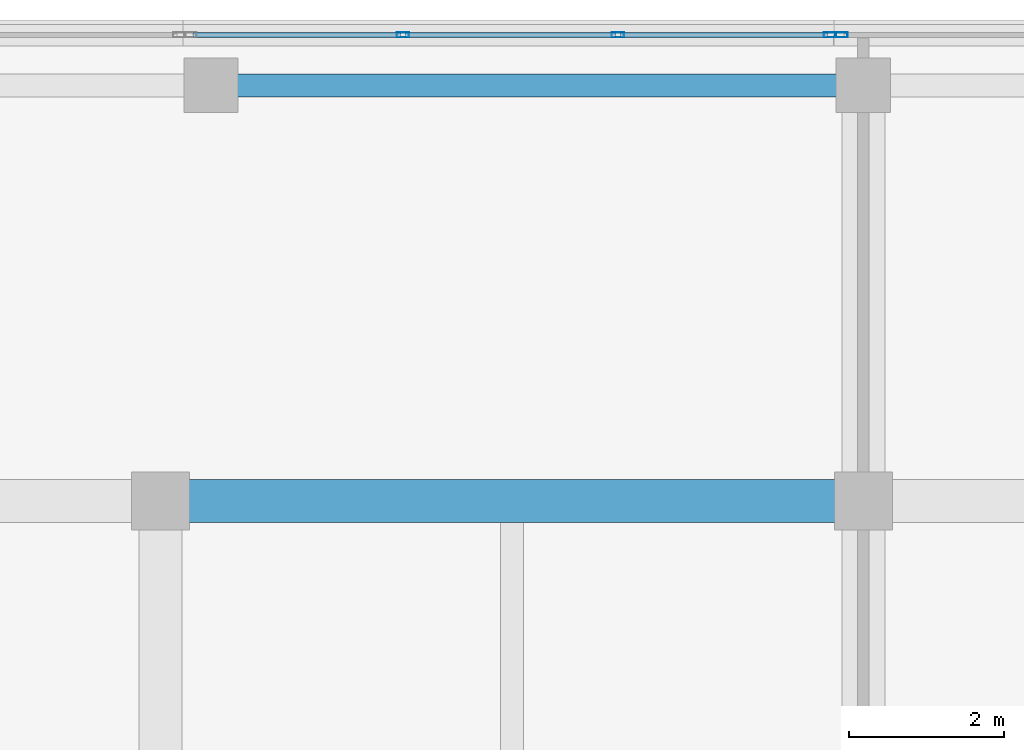
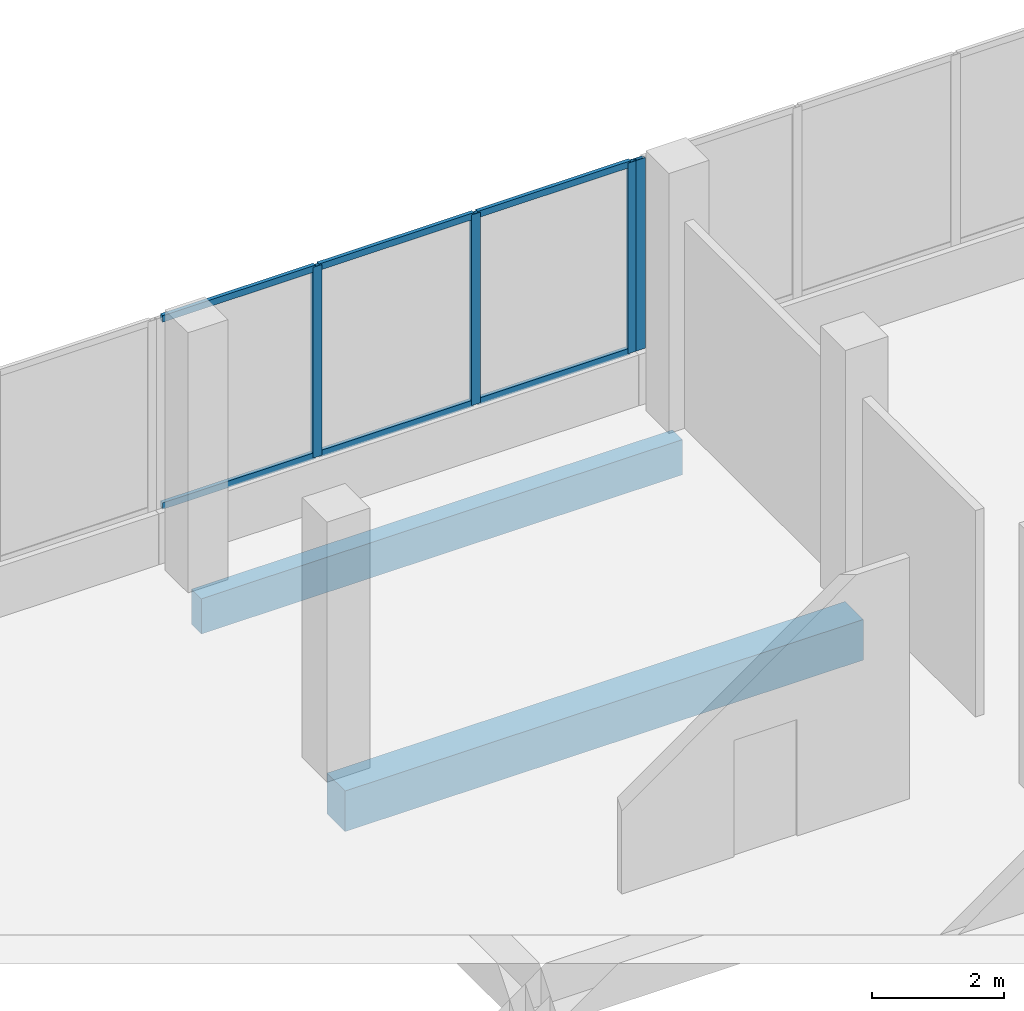
# One storey, part 112 of 155: 10 members, 2 beams, 2 elements without a shape of their own.
"""IFC4 building model written with IfcOpenShell, lengths in metres."""

from ifc_helpers import new_model, si_unit, direction, frame, origin, origin_2d, place, context, subcontext, project, spatial, rectangle, hollow_rectangle, extrude, material, material_profile, profile_set, type_object, element, aggregate, save


model = new_model("IFC4")

# Units and contexts
model_context = context("Model", 3, precision=1e-05, world=origin(), true_north=direction((0.0, 1.0)))
body_context = subcontext(model_context, "Body", "Model", "MODEL_VIEW")
ifc_project = project(units=[si_unit("LENGTHUNIT", "METRE"), si_unit("AREAUNIT", "SQUARE_METRE"), si_unit("VOLUMEUNIT", "CUBIC_METRE"), si_unit("PLANEANGLEUNIT", "RADIAN"), si_unit("MASSUNIT", "GRAM", prefix="KILO")], contexts=[model_context])

# Site, building, storey
site_placement = place(None, origin())
site = spatial("IfcSite", under=ifc_project, at=site_placement, CompositionType="ELEMENT")
building_placement = place(site_placement, origin())
building = spatial("IfcBuilding", under=site, at=building_placement, Name="Selatvlak General Hospital", CompositionType="ELEMENT")
storey_placement = place(building_placement, frame((0.0, 0.0, 10.199951171875)))
storey = spatial("IfcBuildingStorey", under=building, at=storey_placement, Name="L02", CompositionType="ELEMENT", Elevation=10.199951171875)

# Beams
ifc_material_1 = material(Name="Concrete C40/50", Category="concrete")
ifc_material_profile_1 = material_profile(ifc_material_1, rectangle(XDim=0.550048828125, YDim=0.75, at=origin_2d()), Name="RC-BM 550x750")
ifc_profile_set_1 = profile_set([ifc_material_profile_1], Name="Concrete C40/50")
beam_type_1 = type_object("IfcBeamType", Name="BM-G02", PredefinedType="BEAM", material=ifc_profile_set_1)
beam_1_placement = place(storey_placement, frame((164.949951171875, 114.0, -0.72998046875), z_axis=(1.0, 0.0, 0.0), x_axis=(0.0, 1.0, 0.0)))
element("IfcBeam", 1, at=beam_1_placement, inside=storey, type_object=beam_type_1, Name="Beam BMR-L02-0906", PredefinedType="BEAM", context=body_context, shape_type="SweptSolid", body=[
    extrude(rectangle(XDim=0.550048828125, YDim=0.75, at=origin_2d()), origin(), (0.0, 0.0, 1.0), 9.050048828125),
])
ifc_material_profile_2 = material_profile(ifc_material_1, rectangle(XDim=0.300048828125, YDim=0.64990234375, at=origin_2d()), Name="RC-SP 300x650")
ifc_profile_set_2 = profile_set([ifc_material_profile_2], Name="Concrete C40/50")
beam_type_2 = type_object("IfcBeamType", Name="BM-SP1", PredefinedType="SPANDREL", material=ifc_profile_set_2)
beam_2_placement = place(storey_placement, frame((165.60009765625, 119.35009765625, -0.679931640625), z_axis=(1.0, 0.0, 0.0), x_axis=(0.0, 1.0, 0.0)))
element("IfcBeam", 2, at=beam_2_placement, inside=storey, type_object=beam_type_2, Name="Beam BMR-L02-0922", PredefinedType="SPANDREL", context=body_context, shape_type="SweptSolid", body=[
    extrude(rectangle(XDim=0.300048828125, YDim=0.64990234375, at=origin_2d()), origin(), (0.0, 0.0, 1.0), 8.39990234375),
])

# Curtain wall, members
ifc_material_2 = material(Name="Solar-control Low-E double glazing", Category="glass")
curtain_wall_type_1 = type_object("IfcCurtainWallType", Name="CW-CW-02", PredefinedType="USERDEFINED", material=ifc_material_2)
curtain_wall_1_placement = place(storey_placement, origin())
curtain_wall_1 = element("IfcCurtainWall", 3, at=curtain_wall_1_placement, inside=storey, type_object=curtain_wall_type_1, Name="Glazed facade curtain wall CW-L02-0261", ObjectType="UNITISED CURTAIN WALL", PredefinedType="USERDEFINED")
ifc_material_3 = material(Name="Dark anodised aluminium mullion", Category="aluminium")
ifc_material_profile_3 = material_profile(ifc_material_3, hollow_rectangle(XDim=0.06494140625, YDim=0.159912109375, WallThickness=0.00390625, at=origin_2d()), Name="AL-MUL 65x160x4")
ifc_profile_set_3 = profile_set([ifc_material_profile_3], Name="Dark anodised aluminium mullion")
member_type_1 = type_object("IfcMemberType", Name="CWM-01", PredefinedType="MULLION", material=ifc_profile_set_3)
member_1_placement = place(storey_placement, frame((168.070556640625, 120.0, 0.93994140625), z_axis=(0.0, 0.0, 1.0), x_axis=(0.0, 1.0, 0.0)))
member_1 = element("IfcMember", 4, at=member_1_placement, type_object=member_type_1, Name="CW-02 mullion 2", PredefinedType="MULLION", context=body_context, shape_type="SweptSolid", body=[
    extrude(hollow_rectangle(XDim=0.06494140625, YDim=0.159912109375, WallThickness=0.00390625, at=origin_2d()), origin(), (0.0, 0.0, 1.0), 3.52001953125),
])
member_2_placement = place(storey_placement, frame((170.83740234375, 120.0, 0.93994140625), z_axis=(0.0, 0.0, 1.0), x_axis=(0.0, 1.0, 0.0)))
member_2 = element("IfcMember", 5, at=member_2_placement, type_object=member_type_1, Name="CW-02 mullion 3", PredefinedType="MULLION", context=body_context, shape_type="SweptSolid", body=[
    extrude(hollow_rectangle(XDim=0.06494140625, YDim=0.159912109375, WallThickness=0.00390625, at=origin_2d()), origin(), (0.0, 0.0, 1.0), 3.52001953125),
])
member_3_placement = place(storey_placement, frame((173.571533203125, 120.0, 0.93994140625), z_axis=(0.0, 0.0, 1.0), x_axis=(0.0, 1.0, 0.0)))
member_3 = element("IfcMember", 6, at=member_3_placement, type_object=member_type_1, Name="CW-02 mullion 4", PredefinedType="MULLION", context=body_context, shape_type="SweptSolid", body=[
    extrude(hollow_rectangle(XDim=0.06494140625, YDim=0.159912109375, WallThickness=0.00390625, at=origin_2d()), origin(), (0.0, 0.0, 1.0), 3.52001953125),
])

# Curtain wall, member
curtain_wall_type_2 = type_object("IfcCurtainWallType", Name="CW-CW-01", PredefinedType="USERDEFINED", material=ifc_material_2)
curtain_wall_2_placement = place(storey_placement, origin())
curtain_wall_2 = element("IfcCurtainWall", 7, at=curtain_wall_2_placement, inside=storey, type_object=curtain_wall_type_2, Name="Glazed facade curtain wall CW-L02-0262", ObjectType="UNITISED CURTAIN WALL", PredefinedType="USERDEFINED")
member_4_placement = place(storey_placement, frame((173.716552734375, 120.0, 0.93994140625), z_axis=(0.0, 0.0, 1.0), x_axis=(0.0, 1.0, 0.0)))
member_4 = element("IfcMember", 8, at=member_4_placement, type_object=member_type_1, Name="CW-01 mullion 1", PredefinedType="MULLION", context=body_context, shape_type="SweptSolid", body=[
    extrude(hollow_rectangle(XDim=0.06494140625, YDim=0.159912109375, WallThickness=0.00390625, at=origin_2d()), origin(), (0.0, 0.0, 1.0), 3.52001953125),
])
aggregate(curtain_wall_2, [member_4])

# Member
ifc_material_profile_4 = material_profile(ifc_material_3, hollow_rectangle(XDim=0.06494140625, YDim=0.1201171875, WallThickness=0.00390625, at=origin_2d()), Name="AL-TRN 65x120x4")
ifc_profile_set_4 = profile_set([ifc_material_profile_4], Name="Dark anodised aluminium mullion")
member_type_2 = type_object("IfcMemberType", Name="CWT-01", PredefinedType="USERDEFINED", material=ifc_profile_set_4)
member_5_placement = place(storey_placement, frame((165.368896484375, 120.0, 0.97265625), z_axis=(1.0, 0.0, 0.0), x_axis=(0.0, 1.0, 0.0)))
member_5 = element("IfcMember", 9, at=member_5_placement, type_object=member_type_2, Name="CW-02 transom 1.1", ObjectType="TRANSOM", PredefinedType="USERDEFINED", context=body_context, shape_type="SweptSolid", body=[
    extrude(hollow_rectangle(XDim=0.06494140625, YDim=0.1201171875, WallThickness=0.00390625, at=origin_2d()), origin(), (0.0, 0.0, 1.0), 2.669189453125),
])

member_6_placement = place(storey_placement, frame((165.368896484375, 120.0, 4.427490234375), z_axis=(1.0, 0.0, 0.0), x_axis=(0.0, 1.0, 0.0)))
member_6 = element("IfcMember", 10, at=member_6_placement, type_object=member_type_2, Name="CW-02 transom 1.2", ObjectType="TRANSOM", PredefinedType="USERDEFINED", context=body_context, shape_type="SweptSolid", body=[
    extrude(hollow_rectangle(XDim=0.06494140625, YDim=0.1201171875, WallThickness=0.00390625, at=origin_2d()), origin(), (0.0, 0.0, 1.0), 2.669189453125),
])

member_7_placement = place(storey_placement, frame((168.103271484375, 120.0, 0.97265625), z_axis=(1.0, 0.0, 0.0), x_axis=(0.0, 1.0, 0.0)))
member_7 = element("IfcMember", 11, at=member_7_placement, type_object=member_type_2, Name="CW-02 transom 2.1", ObjectType="TRANSOM", PredefinedType="USERDEFINED", context=body_context, shape_type="SweptSolid", body=[
    extrude(hollow_rectangle(XDim=0.06494140625, YDim=0.1201171875, WallThickness=0.00390625, at=origin_2d()), origin(), (0.0, 0.0, 1.0), 2.70166015625),
])

member_8_placement = place(storey_placement, frame((168.103271484375, 120.0, 4.427490234375), z_axis=(1.0, 0.0, 0.0), x_axis=(0.0, 1.0, 0.0)))
member_8 = element("IfcMember", 12, at=member_8_placement, type_object=member_type_2, Name="CW-02 transom 2.2", ObjectType="TRANSOM", PredefinedType="USERDEFINED", context=body_context, shape_type="SweptSolid", body=[
    extrude(hollow_rectangle(XDim=0.06494140625, YDim=0.1201171875, WallThickness=0.00390625, at=origin_2d()), origin(), (0.0, 0.0, 1.0), 2.70166015625),
])

member_9_placement = place(storey_placement, frame((170.869873046875, 120.0, 0.97265625), z_axis=(1.0, 0.0, 0.0), x_axis=(0.0, 1.0, 0.0)))
member_9 = element("IfcMember", 13, at=member_9_placement, type_object=member_type_2, Name="CW-02 transom 3.1", ObjectType="TRANSOM", PredefinedType="USERDEFINED", context=body_context, shape_type="SweptSolid", body=[
    extrude(hollow_rectangle(XDim=0.06494140625, YDim=0.1201171875, WallThickness=0.00390625, at=origin_2d()), origin(), (0.0, 0.0, 1.0), 2.669189453125),
])

member_10_placement = place(storey_placement, frame((170.869873046875, 120.0, 4.427490234375), z_axis=(1.0, 0.0, 0.0), x_axis=(0.0, 1.0, 0.0)))
member_10 = element("IfcMember", 14, at=member_10_placement, type_object=member_type_2, Name="CW-02 transom 3.2", ObjectType="TRANSOM", PredefinedType="USERDEFINED", context=body_context, shape_type="SweptSolid", body=[
    extrude(hollow_rectangle(XDim=0.06494140625, YDim=0.1201171875, WallThickness=0.00390625, at=origin_2d()), origin(), (0.0, 0.0, 1.0), 2.669189453125),
])

aggregate(curtain_wall_1, [member_1, member_2, member_3, member_5, member_6, member_7, member_8, member_9, member_10])

save(model, "model.ifc")
